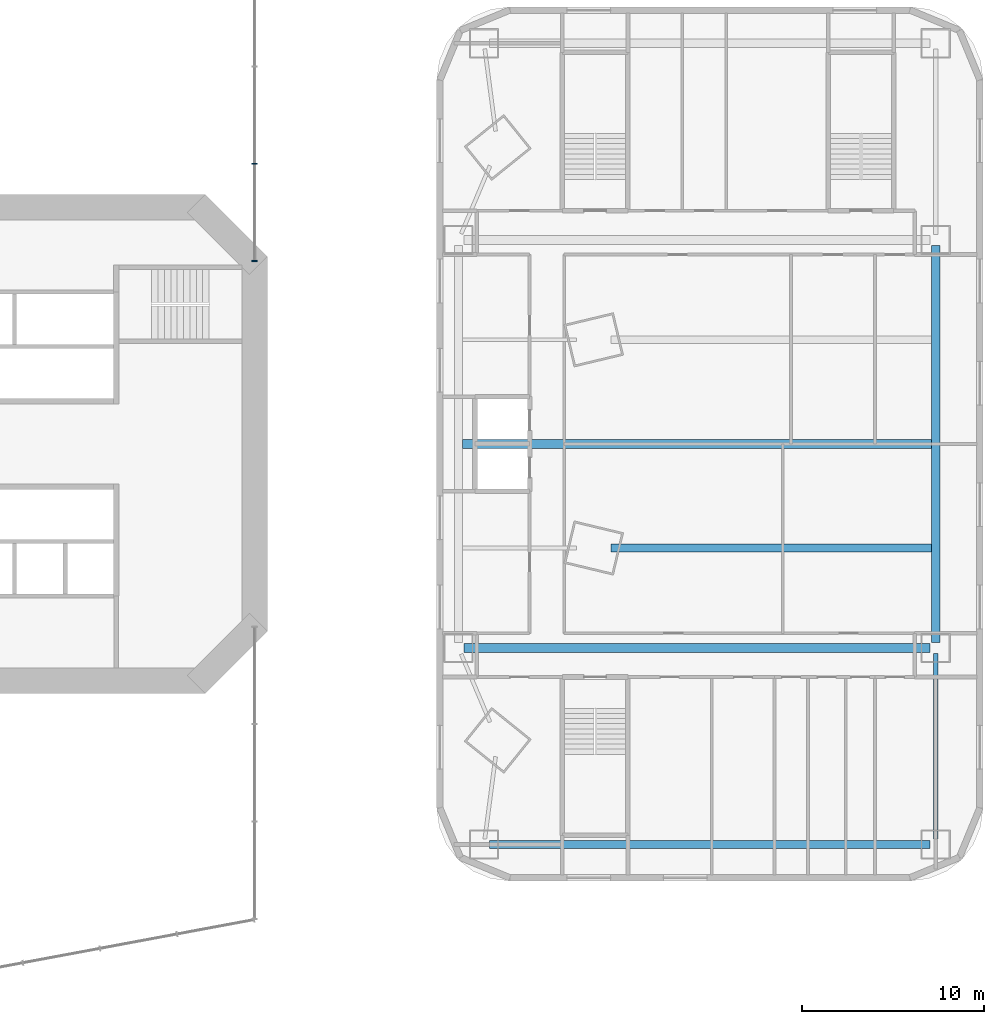
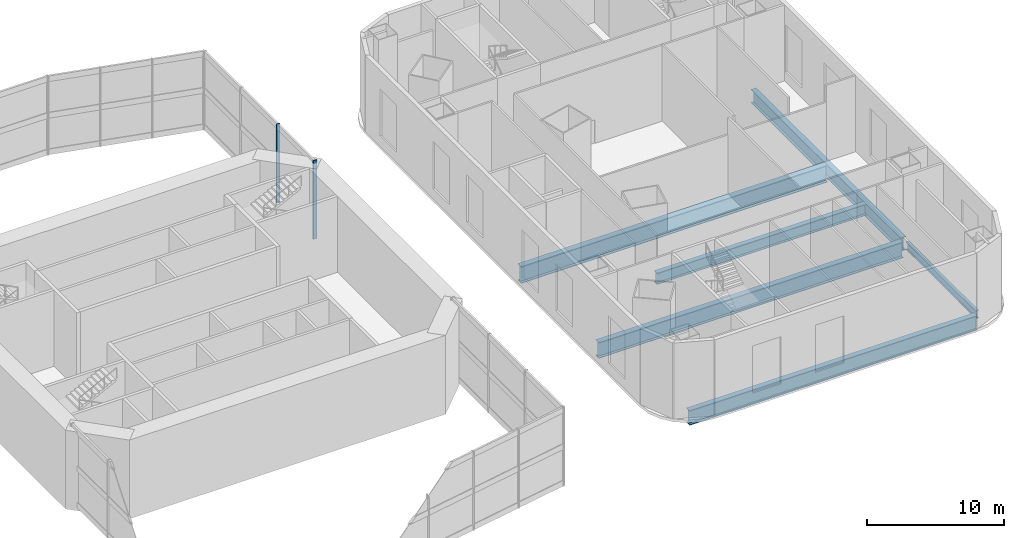
# One storey, part 6 of 19: 6 beams, 2 members, 1 element without a shape of its own.
"""IFC4 building model written with IfcOpenShell, lengths in metres."""

from ifc_helpers import new_model, si_unit, direction, frame, origin, origin_2d, place, context, subcontext, project, spatial, rectangle, i_section, extrude, material, material_profile, profile_set, type_object, element, aggregate, save


model = new_model("IFC4")

# Units and contexts
model_context = context("Model", 3, precision=1e-05, world=origin(), true_north=direction((0.0, 1.0)))
body_context = subcontext(model_context, "Body", "Model", "MODEL_VIEW")
ifc_project = project(units=[si_unit("LENGTHUNIT", "METRE"), si_unit("AREAUNIT", "SQUARE_METRE"), si_unit("VOLUMEUNIT", "CUBIC_METRE"), si_unit("PLANEANGLEUNIT", "RADIAN"), si_unit("MASSUNIT", "GRAM", prefix="KILO")], contexts=[model_context])

# Site, building, storey
site_placement = place(None, origin())
site = spatial("IfcSite", under=ifc_project, at=site_placement, CompositionType="ELEMENT")
building_placement = place(site_placement, origin())
building = spatial("IfcBuilding", under=site, at=building_placement, Name="Marenthal Gate Tower", CompositionType="ELEMENT")
storey_placement = place(building_placement, frame((0.0, 0.0, 12.0)))
storey = spatial("IfcBuildingStorey", under=building, at=storey_placement, Name="L01", CompositionType="ELEMENT", Elevation=12.0)

# Curtain wall, members
ifc_material_1 = material(Name="Aluminium and glass", Category="aluminium")
curtain_wall_type = type_object("IfcCurtainWallType", Name="Curtain wall arch infill", PredefinedType="NOTDEFINED", material=ifc_material_1)
curtain_wall_placement = place(storey_placement, origin())
curtain_wall = element("IfcCurtainWall", 1, at=curtain_wall_placement, inside=storey, type_object=curtain_wall_type, Name="Curtain wall L01 hall NE1", PredefinedType="NOTDEFINED")
ifc_material_2 = material(Name="Aluminium", Category="aluminium")
ifc_material_profile_1 = material_profile(ifc_material_2, rectangle(XDim=0.300048828125, YDim=0.080078125, at=origin_2d()), Name="80x300 aluminium mullion")
ifc_profile_set_1 = profile_set([ifc_material_profile_1], Name="Aluminium")
member_type = type_object("IfcMemberType", Name="Mullion 80x300 arch infill", PredefinedType="MULLION", material=ifc_profile_set_1)
member_1_placement = place(storey_placement, frame((16.0, 10.0400390625, 0.0), z_axis=(0.0, 0.0, 1.0), x_axis=(-1.0, 0.0, 0.0)))
member_1 = element("IfcMember", 2, at=member_1_placement, type_object=member_type, Name="Mullion L01 hall NE1.1", PredefinedType="MULLION", context=body_context, shape_type="SweptSolid", body=[
    extrude(rectangle(XDim=0.300048828125, YDim=0.080078125, at=origin_2d()), origin(), (0.0, 0.0, 1.0), 7.0),
])
member_2_placement = place(storey_placement, frame((16.0, 15.3857421875, 0.0), z_axis=(0.0, 0.0, 1.0), x_axis=(-1.0, 0.0, 0.0)))
member_2 = element("IfcMember", 3, at=member_2_placement, type_object=member_type, Name="Mullion L01 hall NE1.2", PredefinedType="MULLION", context=body_context, shape_type="SweptSolid", body=[
    extrude(rectangle(XDim=0.300048828125, YDim=0.080078125, at=origin_2d()), origin(), (0.0, 0.0, 1.0), 7.0),
])
aggregate(curtain_wall, [member_1, member_2])

# Beams
ifc_material_3 = material(Name="Steel S355", Category="steel")
ifc_material_profile_2 = material_profile(ifc_material_3, i_section(OverallWidth=0.419921875, OverallDepth=1.0, WebThickness=0.02001953125, FlangeThickness=0.035888671875, at=origin_2d()), Name="PLATE GIRDER 1000X420X20X36")
ifc_profile_set_2 = profile_set([ifc_material_profile_2], Name="Steel S355")
beam_type_1 = type_object("IfcBeamType", Name="PLATE GIRDER 1000X420X20X36 beam", PredefinedType="BEAM", material=ifc_profile_set_2)
beam_1_placement = place(storey_placement, frame((35.561279296875, -5.716064453125, -0.75), z_axis=(1.0, 0.0, 0.0), x_axis=(0.0, 1.0, 0.0)))
element("IfcBeam", 4, at=beam_1_placement, inside=storey, type_object=beam_type_1, Name="BM-L01-108", PredefinedType="BEAM", context=body_context, shape_type="SweptSolid", body=[
    extrude(i_section(OverallWidth=0.419921875, OverallDepth=1.0, WebThickness=0.02001953125, FlangeThickness=0.035888671875, at=origin_2d()), origin(), (0.0, 0.0, 1.0), 17.61376953125),
])
ifc_material_4 = material(Name="Steel S355", Category="steel")
ifc_material_profile_3 = material_profile(ifc_material_4, i_section(OverallWidth=0.449951171875, OverallDepth=1.199951171875, WebThickness=0.02197265625, FlangeThickness=0.0400390625, at=origin_2d()), Name="PLATE GIRDER 1200X450X22X40")
ifc_profile_set_3 = profile_set([ifc_material_profile_3], Name="Steel S355")
beam_type_2 = type_object("IfcBeamType", Name="PLATE GIRDER 1200X450X22X40 beam", PredefinedType="BEAM", material=ifc_profile_set_3)
beam_2_placement = place(storey_placement, frame((53.39990234375, -10.89990234375, -0.85009765625), z_axis=(0.0, 1.0, 0.0), x_axis=(-1.0, 0.0, 0.0)))
element("IfcBeam", 5, at=beam_2_placement, inside=storey, type_object=beam_type_2, Name="BM-L01-102", PredefinedType="BEAM", context=body_context, shape_type="SweptSolid", body=[
    extrude(i_section(OverallWidth=0.449951171875, OverallDepth=1.199951171875, WebThickness=0.02197265625, FlangeThickness=0.0400390625, at=origin_2d()), origin(), (0.0, 0.0, 1.0), 21.7998046875),
])
ifc_material_5 = material(Name="Steel S355", Category="steel")
ifc_material_profile_4 = material_profile(ifc_material_5, i_section(OverallWidth=0.4599609375, OverallDepth=1.300048828125, WebThickness=0.02490234375, FlangeThickness=0.044921875, at=origin_2d()), Name="PLATE GIRDER 1300X460X25X45")
ifc_profile_set_4 = profile_set([ifc_material_profile_4], Name="Steel S355")
beam_type_3 = type_object("IfcBeamType", Name="PLATE GIRDER 1300X460X25X45 beam", PredefinedType="BEAM", material=ifc_profile_set_4)
beam_3_placement = place(storey_placement, frame((28.89990234375, -22.0, -0.89990234375), z_axis=(1.0, 0.0, 0.0), x_axis=(0.0, 1.0, 0.0)))
element("IfcBeam", 6, at=beam_3_placement, inside=storey, type_object=beam_type_3, Name="BM-L01-105", PredefinedType="BEAM", context=body_context, shape_type="SweptSolid", body=[
    extrude(i_section(OverallWidth=0.4599609375, OverallDepth=1.300048828125, WebThickness=0.02490234375, FlangeThickness=0.044921875, at=origin_2d()), origin(), (0.0, 0.0, 1.0), 24.2001953125),
])
ifc_material_6 = material(Name="Steel S355", Category="steel")
ifc_material_profile_5 = material_profile(ifc_material_6, i_section(OverallWidth=0.47998046875, OverallDepth=1.39990234375, WebThickness=0.02490234375, FlangeThickness=0.044921875, at=origin_2d()), Name="PLATE GIRDER 1400X480X25X45")
ifc_profile_set_5 = profile_set([ifc_material_profile_5], Name="Steel S355")
beam_type_4 = type_object("IfcBeamType", Name="PLATE GIRDER 1400X480X25X45 beam", PredefinedType="BEAM", material=ifc_profile_set_5)
beam_4_placement = place(storey_placement, frame((27.5, -11.199951171875, -0.949951171875), z_axis=(1.0, 0.0, 0.0), x_axis=(0.0, 1.0, 0.0)))
element("IfcBeam", 7, at=beam_4_placement, inside=storey, type_object=beam_type_4, Name="BM-L01-106", PredefinedType="BEAM", context=body_context, shape_type="SweptSolid", body=[
    extrude(i_section(OverallWidth=0.47998046875, OverallDepth=1.39990234375, WebThickness=0.02490234375, FlangeThickness=0.044921875, at=origin_2d()), origin(), (0.0, 0.0, 1.0), 25.60009765625),
])
ifc_material_7 = material(Name="Steel S355", Category="steel")
ifc_material_profile_6 = material_profile(ifc_material_7, i_section(OverallWidth=0.5, OverallDepth=1.5, WebThickness=0.02490234375, FlangeThickness=0.050048828125, at=origin_2d()), Name="PLATE GIRDER 1500X500X25X50")
ifc_profile_set_6 = profile_set([ifc_material_profile_6], Name="Steel S355")
beam_type_5 = type_object("IfcBeamType", Name="PLATE GIRDER 1500X500X25X50 beam", PredefinedType="BEAM", material=ifc_profile_set_6)
beam_5_placement = place(storey_placement, frame((27.425048828125, 0.0, -1.0), z_axis=(1.0, 0.0, 0.0), x_axis=(0.0, 1.0, 0.0)))
element("IfcBeam", 8, at=beam_5_placement, inside=storey, type_object=beam_type_5, Name="BM-L01-109", PredefinedType="BEAM", context=body_context, shape_type="SweptSolid", body=[
    extrude(i_section(OverallWidth=0.5, OverallDepth=1.5, WebThickness=0.02490234375, FlangeThickness=0.050048828125, at=origin_2d()), origin(), (0.0, 0.0, 1.0), 25.75),
])
ifc_material_8 = material(Name="Steel S355", Category="steel")
ifc_material_profile_7 = material_profile(ifc_material_8, i_section(OverallWidth=0.25390625, OverallDepth=0.68310546875, WebThickness=0.012451171875, FlangeThickness=0.018798828125, FilletRadius=0.01513671875, at=origin_2d()), Name="W690X140")
ifc_profile_set_7 = profile_set([ifc_material_profile_7], Name="Steel S355")
beam_type_6 = type_object("IfcBeamType", Name="W690X140 beam", PredefinedType="BEAM", material=ifc_profile_set_7)
beam_6_placement = place(storey_placement, frame((53.39990234375, -21.699951171875, -0.591552734375), z_axis=(0.0, 1.0, 0.0), x_axis=(-1.0, 0.0, 0.0)))
element("IfcBeam", 9, at=beam_6_placement, inside=storey, type_object=beam_type_6, Name="BM-L01-101", PredefinedType="BEAM", context=body_context, shape_type="SweptSolid", body=[
    extrude(i_section(OverallWidth=0.25390625, OverallDepth=0.68310546875, WebThickness=0.012451171875, FlangeThickness=0.018798828125, FilletRadius=0.01513671875, at=origin_2d()), origin(), (0.0, 0.0, 1.0), 10.199951171875),
])

save(model, "model.ifc")
